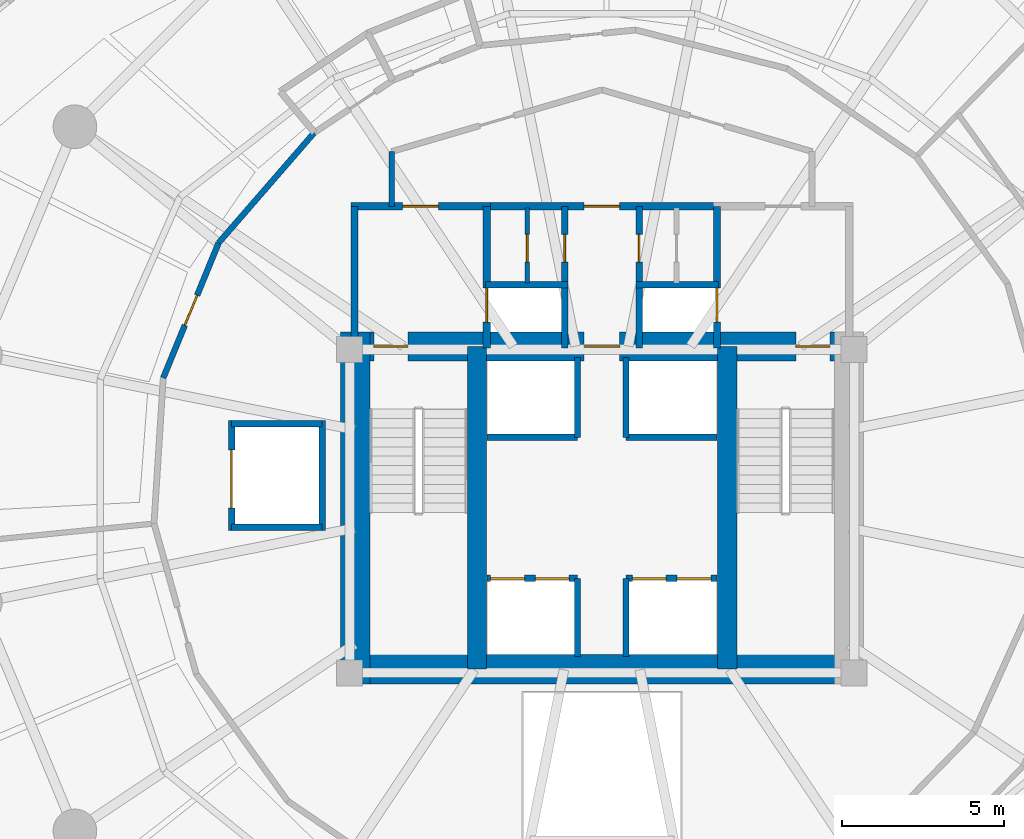
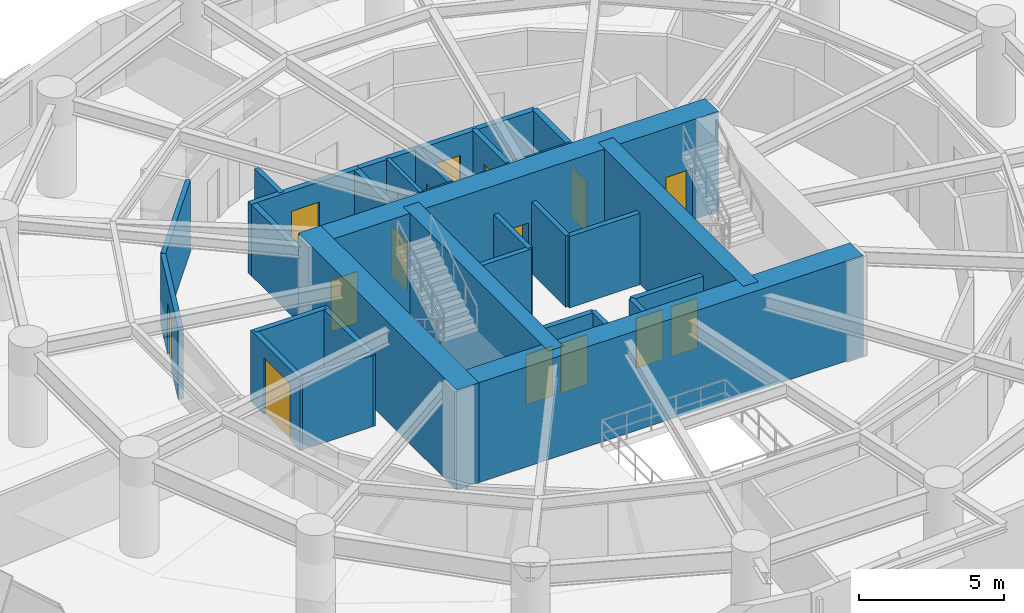
# One storey, part 12 of 17: 30 walls, 16 doors, 16 openings.
"""IFC4 building model written with IfcOpenShell, lengths in metres."""

from ifc_helpers import new_model, si_unit, direction, frame, frame_2d, origin, place, context, subcontext, project, spatial, rectangle, extrude, material, layer, layer_set, type_object, element, fill, save


model = new_model("IFC4")

# Units and contexts
model_context = context("Model", 3, precision=1e-05, world=origin(), true_north=direction((0.0, 1.0)))
body_context = subcontext(model_context, "Body", "Model", "MODEL_VIEW")
ifc_project = project(units=[si_unit("LENGTHUNIT", "METRE"), si_unit("AREAUNIT", "SQUARE_METRE"), si_unit("VOLUMEUNIT", "CUBIC_METRE"), si_unit("PLANEANGLEUNIT", "RADIAN"), si_unit("MASSUNIT", "GRAM", prefix="KILO"), si_unit("THERMODYNAMICTEMPERATUREUNIT", "KELVIN"), si_unit("POWERUNIT", "WATT")], contexts=[model_context])

# Site, building, storey
site_placement = place(None, origin())
site = spatial("IfcSite", under=ifc_project, at=site_placement, CompositionType="ELEMENT")
building_placement = place(site_placement, origin())
building = spatial("IfcBuilding", under=site, at=building_placement, Name="Ocrelia Relay Tower", CompositionType="ELEMENT")
storey_placement = place(building_placement, frame((0.0, 0.0, 55.199951171875)))
storey = spatial("IfcBuildingStorey", under=building, at=storey_placement, Name="L12", CompositionType="ELEMENT", Elevation=55.199951171875)

# Wall
ifc_material_1 = material(Name="Concrete C70/85", Category="concrete")
ifc_layer_1 = layer(ifc_material_1, 0.89990234375, Name="Concrete C70/85")
ifc_layer_set_1 = layer_set([ifc_layer_1], Name="Concrete C70/85")
wall_type_1 = type_object("IfcWallType", Name="CW-CORE-900", PredefinedType="SHEAR", material=ifc_layer_set_1)
wall_1_placement = place(storey_placement, frame((25.922119140625, 20.112060546875, 0.0), z_axis=(0.0, 0.0, 1.0), x_axis=(1.0, 0.0, 0.0)))
element("IfcWall", 1, at=wall_1_placement, inside=storey, type_object=wall_type_1, Name="L12 Core Shear Wall S", PredefinedType="SHEAR", context=body_context, shape_type="SweptSolid", body=[
    extrude(rectangle(XDim=16.165771484375, YDim=0.89990234375, at=frame_2d((8.0830078125, 0.0))), origin(), (0.0, 0.0, 1.0), 4.199951171875),
])

# Wall, openings, doors
wall_2_placement = place(storey_placement, frame((25.922119140625, 30.087890625, 0.0), z_axis=(0.0, 0.0, 1.0), x_axis=(1.0, 0.0, 0.0)))
wall_2 = element("IfcWall", 2, at=wall_2_placement, inside=storey, type_object=wall_type_1, Name="L12 Core Shear Wall N", PredefinedType="SHEAR", context=body_context, shape_type="SweptSolid", body=[
    extrude(rectangle(XDim=16.165771484375, YDim=0.89990234375, at=frame_2d((8.0830078125, 0.0))), origin(), (0.0, 0.0, 1.0), 4.199951171875),
])
opening_1_placement = place(wall_2_placement, frame((1.028076171875, 0.0, 0.0)))
opening_1 = element("IfcOpeningElement", 3, at=opening_1_placement, cuts=wall_2, Name="Opening D-FD90", PredefinedType="OPENING", context=body_context, shape_type="SweptSolid", body=[
    extrude(rectangle(XDim=1.050048828125, YDim=2.14990234375, at=frame_2d((0.52490234375, 1.074951171875))), frame((0.0, 0.4599609375, 0.0), z_axis=(0.0, -1.0, 0.0), x_axis=(1.0, 0.0, 0.0)), (0.0, 0.0, 1.0), 0.919921875),
])
opening_2_placement = place(wall_2_placement, frame((14.077880859375, 0.0, 0.0)))
opening_2 = element("IfcOpeningElement", 4, at=opening_2_placement, cuts=wall_2, Name="Opening D-FD90", PredefinedType="OPENING", context=body_context, shape_type="SweptSolid", body=[
    extrude(rectangle(XDim=1.050048828125, YDim=2.14990234375, at=frame_2d((0.52490234375, 1.074951171875))), frame((0.0, 0.4599609375, 0.0), z_axis=(0.0, -1.0, 0.0), x_axis=(1.0, 0.0, 0.0)), (0.0, 0.0, 1.0), 0.919921875),
])
opening_3_placement = place(wall_2_placement, frame((7.528076171875, 0.0, 0.0)))
opening_3 = element("IfcOpeningElement", 5, at=opening_3_placement, cuts=wall_2, Name="Opening D-FD60", PredefinedType="OPENING", context=body_context, shape_type="SweptSolid", body=[
    extrude(rectangle(XDim=1.10009765625, YDim=2.14990234375, at=frame_2d((0.550048828125, 1.074951171875))), frame((0.0, 0.4599609375, 0.0), z_axis=(0.0, -1.0, 0.0), x_axis=(1.0, 0.0, 0.0)), (0.0, 0.0, 1.0), 0.919921875),
])
ifc_material_2 = material(Name="Timber-core 60-min acoustic fire door", Category="wood")
door_type_1 = type_object("IfcDoorType", Name="DR-LOBBY-FD60-1100", OperationType="NOTDEFINED", PredefinedType="DOOR", material=ifc_material_2)
door_1_placement = place(opening_3_placement, origin())
door_1 = element("IfcDoor", 6, at=door_1_placement, inside=storey, type_object=door_type_1, Name="L12 Core Lift Lobby North Fire Door", OperationType="SINGLE_SWING_LEFT", OverallHeight=2.14990234375, OverallWidth=1.10009765625, PredefinedType="DOOR", context=body_context, shape_type="SweptSolid", body=[
    extrude(rectangle(XDim=1.10009765625, YDim=2.14990234375, at=frame_2d((0.550048828125, 1.074951171875))), frame((0.0, 0.02490234375, 0.0), z_axis=(0.0, -1.0, 0.0), x_axis=(1.0, 0.0, 0.0)), (0.0, 0.0, 1.0), 0.050048828125),
])
fill(opening_3, door_1)
ifc_material_3 = material(Name="Steel S355 90-min fire door", Category="steel")
door_type_2 = type_object("IfcDoorType", Name="DR-STAIR-FD90-1050", OperationType="NOTDEFINED", PredefinedType="DOOR", material=ifc_material_3)
door_2_placement = place(opening_1_placement, origin())
door_2 = element("IfcDoor", 7, at=door_2_placement, inside=storey, type_object=door_type_2, Name="L12 Stair ST1 Fire Door", OperationType="SINGLE_SWING_LEFT", OverallHeight=2.14990234375, OverallWidth=1.050048828125, PredefinedType="DOOR", context=body_context, shape_type="SweptSolid", body=[
    extrude(rectangle(XDim=1.050048828125, YDim=2.14990234375, at=frame_2d((0.52490234375, 1.074951171875))), frame((0.0, 0.02490234375, 0.0), z_axis=(0.0, -1.0, 0.0), x_axis=(1.0, 0.0, 0.0)), (0.0, 0.0, 1.0), 0.050048828125),
])
fill(opening_1, door_2)
door_3_placement = place(opening_2_placement, origin())
door_3 = element("IfcDoor", 8, at=door_3_placement, inside=storey, type_object=door_type_2, Name="L12 Stair ST2 Fire Door", OperationType="SINGLE_SWING_RIGHT", OverallHeight=2.14990234375, OverallWidth=1.050048828125, PredefinedType="DOOR", context=body_context, shape_type="SweptSolid", body=[
    extrude(rectangle(XDim=1.050048828125, YDim=2.14990234375, at=frame_2d((0.52490234375, 1.074951171875))), frame((0.0, 0.02490234375, 0.0), z_axis=(0.0, -1.0, 0.0), x_axis=(1.0, 0.0, 0.0)), (0.0, 0.0, 1.0), 0.050048828125),
])
fill(opening_2, door_3)

# Walls
wall_3_placement = place(storey_placement, frame((26.3720703125, 19.662109375, 0.0), z_axis=(0.0, 0.0, 1.0), x_axis=(0.0, 1.0, 0.0)))
element("IfcWall", 9, at=wall_3_placement, inside=storey, type_object=wall_type_1, Name="L12 Core Shear Wall W", PredefinedType="SHEAR", context=body_context, shape_type="SweptSolid", body=[
    extrude(rectangle(XDim=10.8759765625, YDim=0.89990234375, at=frame_2d((5.43798828125, 0.0))), origin(), (0.0, 0.0, 1.0), 4.199951171875),
])
for number, where, z_axis, x_axis, name in (
    (10, (30.137939453125, 20.112060546875, 0.0), (0.0, 0.0, 1.0), (0.0, 1.0, 0.0), "L12 Core Shear Wall SPW"),
    (11, (37.8720703125, 20.112060546875, 0.0), (0.0, 0.0, 1.0), (0.0, 1.0, 0.0), "L12 Core Shear Wall SPE"),
):
    element("IfcWall", number, at=place(storey_placement, frame(where, z_axis=z_axis, x_axis=x_axis)), inside=storey, type_object=wall_type_1, Name=name, PredefinedType="SHEAR", context=body_context, shape_type="SweptSolid", body=[
        extrude(rectangle(XDim=9.975830078125, YDim=0.60009765625, at=frame_2d((4.98779296875, 0.0))), origin(), (0.0, 0.0, 1.0), 4.199951171875),
    ])
ifc_material_4 = material(Name="Gypsum Fireboard Partition EI60", Category="gypsum")
ifc_layer_2 = layer(ifc_material_4, 0.179931640625, Name="Gypsum Fireboard Partition EI60")
ifc_layer_set_2 = layer_set([ifc_layer_2], Name="Gypsum Fireboard Partition EI60")
wall_type_2 = type_object("IfcWallType", Name="W-CORR-EI60-180", PredefinedType="PARTITIONING", material=ifc_layer_set_2)
wall_4_placement = place(storey_placement, frame((27.5, 34.429931640625, 0.0), z_axis=(0.0, 0.0, 1.0), x_axis=(0.0, 1.0, 0.0)))
element("IfcWall", 12, at=wall_4_placement, inside=storey, type_object=wall_type_2, Name="L12 Smoke Lobby West Return", PredefinedType="PARTITIONING", context=body_context, shape_type="SweptSolid", body=[
    extrude(rectangle(XDim=1.69287109375, YDim=0.179931640625, at=frame_2d((0.846435546875, 0.0))), origin(), (0.0, 0.0, 1.0), 3.0),
])
wall_5_placement = place(storey_placement, frame((25.1083984375, 36.7099609375, 0.0), z_axis=(0.0, 0.0, 1.0), x_axis=(-0.655636359389, -0.755076793609, 0.0)))
element("IfcWall", 13, at=wall_5_placement, inside=storey, type_object=wall_type_2, Name="L12 Carrier Briefing Room Corridor Partition 1", PredefinedType="PARTITIONING", context=body_context, shape_type="SweptSolid", body=[
    extrude(rectangle(XDim=4.514892578125, YDim=0.179931640625, at=frame_2d((2.25732421875, 0.0))), origin(), (0.0, 0.0, 1.0), 3.0),
])

# Wall, opening, door
wall_6_placement = place(storey_placement, frame((22.148193359375, 33.30078125, 0.0), z_axis=(0.0, 0.0, 1.0), x_axis=(-0.37946853902, -0.92520464109, 0.0)))
wall_6 = element("IfcWall", 14, at=wall_6_placement, inside=storey, type_object=wall_type_2, Name="L12 Carrier Briefing Room Corridor Partition 2", PredefinedType="PARTITIONING", context=body_context, shape_type="SweptSolid", body=[
    extrude(rectangle(XDim=4.51513671875, YDim=0.179931640625, at=frame_2d((2.257568359375, 0.0))), origin(), (0.0, 0.0, 1.0), 3.0),
])
opening_4_placement = place(wall_6_placement, frame((1.757568359375, 0.0, 0.0)))
opening_4 = element("IfcOpeningElement", 15, at=opening_4_placement, cuts=wall_6, Name="Opening D-RM100", PredefinedType="OPENING", context=body_context, shape_type="SweptSolid", body=[
    extrude(rectangle(XDim=1.0, YDim=2.14990234375, at=frame_2d((0.5, 1.074951171875))), frame((0.0, 0.10009765625, 0.0), z_axis=(0.0, -1.0, 0.0), x_axis=(1.0, 0.0, 0.0)), (0.0, 0.0, 1.0), 0.199951171875),
])
ifc_material_5 = material(Name="Acoustic oak veneer fire door", Category="wood")
door_type_3 = type_object("IfcDoorType", Name="DR-ROOM-FD60-1000", OperationType="NOTDEFINED", PredefinedType="DOOR", material=ifc_material_5)
door_4_placement = place(opening_4_placement, origin())
door_4 = element("IfcDoor", 16, at=door_4_placement, inside=storey, type_object=door_type_3, Name="L12 Carrier Briefing Room Entrance Door", OperationType="SINGLE_SWING_LEFT", OverallHeight=2.14990234375, OverallWidth=1.0, PredefinedType="DOOR", context=body_context, shape_type="SweptSolid", body=[
    extrude(rectangle(XDim=1.0, YDim=2.14990234375, at=frame_2d((0.5, 1.074951171875))), frame((0.0, 0.02490234375, 0.0), z_axis=(0.0, -1.0, 0.0), x_axis=(1.0, 0.0, 0.0)), (0.0, 0.0, 1.0), 0.050048828125),
])
fill(opening_4, door_4)

# Wall
ifc_material_6 = material(Name="Concrete C50/60", Category="concrete")
ifc_layer_3 = layer(ifc_material_6, 0.219970703125, Name="Concrete C50/60")
ifc_layer_set_3 = layer_set([ifc_layer_3], Name="Concrete C50/60")
wall_type_3 = type_object("IfcWallType", Name="W-FFL-EI120-220", PredefinedType="SOLIDWALL", material=ifc_layer_set_3)
wall_7_placement = place(storey_placement, frame((26.35009765625, 30.050048828125, 0.0), z_axis=(0.0, 0.0, 1.0), x_axis=(0.0, 1.0, 0.0)))
element("IfcWall", 17, at=wall_7_placement, inside=storey, type_object=wall_type_3, Name="L12 W Fire Service Lift Lobby West Wall", PredefinedType="SOLIDWALL", context=body_context, shape_type="SweptSolid", body=[
    extrude(rectangle(XDim=4.3798828125, YDim=0.219970703125, at=frame_2d((2.18994140625, 0.0))), origin(), (0.0, 0.0, 1.0), 3.0),
])

# Wall, opening, door
wall_8_placement = place(storey_placement, frame((30.43994140625, 30.050048828125, 0.0), z_axis=(0.0, 0.0, 1.0), x_axis=(0.0, 1.0, 0.0)))
wall_8 = element("IfcWall", 18, at=wall_8_placement, inside=storey, type_object=wall_type_3, Name="L12 W Fire Service Lift Lobby East Wall", PredefinedType="SOLIDWALL", context=body_context, shape_type="SweptSolid", body=[
    extrude(rectangle(XDim=4.3798828125, YDim=0.219970703125, at=frame_2d((2.18994140625, 0.0))), origin(), (0.0, 0.0, 1.0), 3.0),
])
opening_5_placement = place(wall_8_placement, frame((0.800048828125, 0.0, 0.0)))
opening_5 = element("IfcOpeningElement", 19, at=opening_5_placement, cuts=wall_8, Name="Opening LD-FFL1", PredefinedType="OPENING", context=body_context, shape_type="SweptSolid", body=[
    extrude(rectangle(XDim=1.050048828125, YDim=2.10009765625, at=frame_2d((0.52490234375, 1.050048828125))), frame((0.0, 0.1201171875, 0.0), z_axis=(0.0, -1.0, 0.0), x_axis=(1.0, 0.0, 0.0)), (0.0, 0.0, 1.0), 0.239990234375),
])
ifc_material_7 = material(Name="Brushed stainless steel S355 lift landing door", Category="steel")
door_type_4 = type_object("IfcDoorType", Name="DR-LIFT-LAND-1050", OperationType="DOUBLE_DOOR_SLIDING", PredefinedType="USERDEFINED", material=ifc_material_7)
door_5_placement = place(opening_5_placement, origin())
door_5 = element("IfcDoor", 20, at=door_5_placement, inside=storey, type_object=door_type_4, Name="L12 Firefighting Lift FFL1 Sliding Landing Door", ObjectType="LANDING DOOR", OperationType="DOUBLE_DOOR_SLIDING", OverallHeight=2.10009765625, OverallWidth=1.050048828125, PredefinedType="USERDEFINED", context=body_context, shape_type="SweptSolid", body=[
    extrude(rectangle(XDim=1.050048828125, YDim=2.10009765625, at=frame_2d((0.52490234375, 1.050048828125))), frame((0.0, 0.02490234375, 0.0), z_axis=(0.0, -1.0, 0.0), x_axis=(1.0, 0.0, 0.0)), (0.0, 0.0, 1.0), 0.050048828125),
])
fill(opening_5, door_5)

wall_9_placement = place(storey_placement, frame((26.239990234375, 34.429931640625, 0.0), z_axis=(0.0, 0.0, 1.0), x_axis=(1.0, 0.0, 0.0)))
wall_9 = element("IfcWall", 21, at=wall_9_placement, inside=storey, type_object=wall_type_3, Name="L12 W Fire Service Lift Lobby North Wall", PredefinedType="SOLIDWALL", context=body_context, shape_type="SweptSolid", body=[
    extrude(rectangle(XDim=4.31005859375, YDim=0.219970703125, at=frame_2d((2.155029296875, 0.0))), origin(), (0.0, 0.0, 1.0), 3.0),
])
opening_6_placement = place(wall_9_placement, frame((1.60009765625, 0.0, 0.0)))
opening_6 = element("IfcOpeningElement", 22, at=opening_6_placement, cuts=wall_9, Name="Opening D-FD60", PredefinedType="OPENING", context=body_context, shape_type="SweptSolid", body=[
    extrude(rectangle(XDim=1.10009765625, YDim=2.14990234375, at=frame_2d((0.550048828125, 1.074951171875))), frame((0.0, 0.1201171875, 0.0), z_axis=(0.0, -1.0, 0.0), x_axis=(1.0, 0.0, 0.0)), (0.0, 0.0, 1.0), 0.239990234375),
])
door_6_placement = place(opening_6_placement, origin())
door_6 = element("IfcDoor", 23, at=door_6_placement, inside=storey, type_object=door_type_1, Name="L12 W Fire Service Lift Lobby Exit Door", OperationType="SINGLE_SWING_RIGHT", OverallHeight=2.14990234375, OverallWidth=1.10009765625, PredefinedType="DOOR", context=body_context, shape_type="SweptSolid", body=[
    extrude(rectangle(XDim=1.10009765625, YDim=2.14990234375, at=frame_2d((0.550048828125, 1.074951171875))), frame((0.0, 0.02490234375, 0.0), z_axis=(0.0, -1.0, 0.0), x_axis=(1.0, 0.0, 0.0)), (0.0, 0.0, 1.0), 0.050048828125),
])
fill(opening_6, door_6)

wall_10_placement = place(storey_placement, frame((37.56005859375, 30.050048828125, 0.0), z_axis=(0.0, 0.0, 1.0), x_axis=(0.0, 1.0, 0.0)))
wall_10 = element("IfcWall", 24, at=wall_10_placement, inside=storey, type_object=wall_type_3, Name="L12 E Fire Service Lift Lobby West Wall", PredefinedType="SOLIDWALL", context=body_context, shape_type="SweptSolid", body=[
    extrude(rectangle(XDim=4.3798828125, YDim=0.219970703125, at=frame_2d((2.18994140625, 0.0))), origin(), (0.0, 0.0, 1.0), 3.0),
])
opening_7_placement = place(wall_10_placement, frame((0.800048828125, 0.0, 0.0)))
opening_7 = element("IfcOpeningElement", 25, at=opening_7_placement, cuts=wall_10, Name="Opening LD-FFL2", PredefinedType="OPENING", context=body_context, shape_type="SweptSolid", body=[
    extrude(rectangle(XDim=1.050048828125, YDim=2.10009765625, at=frame_2d((0.52490234375, 1.050048828125))), frame((0.0, 0.1201171875, 0.0), z_axis=(0.0, -1.0, 0.0), x_axis=(1.0, 0.0, 0.0)), (0.0, 0.0, 1.0), 0.239990234375),
])
door_7_placement = place(opening_7_placement, origin())
door_7 = element("IfcDoor", 26, at=door_7_placement, inside=storey, type_object=door_type_4, Name="L12 Firefighting Lift FFL2 Sliding Landing Door", ObjectType="LANDING DOOR", OperationType="DOUBLE_DOOR_SLIDING", OverallHeight=2.10009765625, OverallWidth=1.050048828125, PredefinedType="USERDEFINED", context=body_context, shape_type="SweptSolid", body=[
    extrude(rectangle(XDim=1.050048828125, YDim=2.10009765625, at=frame_2d((0.52490234375, 1.050048828125))), frame((0.0, 0.02490234375, 0.0), z_axis=(0.0, -1.0, 0.0), x_axis=(1.0, 0.0, 0.0)), (0.0, 0.0, 1.0), 0.050048828125),
])
fill(opening_7, door_7)

wall_11_placement = place(storey_placement, frame((30.43994140625, 34.429931640625, 0.0), z_axis=(0.0, 0.0, 1.0), x_axis=(1.0, 0.0, 0.0)))
wall_11 = element("IfcWall", 27, at=wall_11_placement, inside=storey, type_object=wall_type_3, Name="L12 North Core Vestibule Wall", PredefinedType="SOLIDWALL", context=body_context, shape_type="SweptSolid", body=[
    extrude(rectangle(XDim=7.1201171875, YDim=0.219970703125, at=frame_2d((3.56005859375, 0.0))), origin(), (0.0, 0.0, 1.0), 3.0),
])
opening_8_placement = place(wall_11_placement, frame((3.010009765625, 0.0, 0.0)))
opening_8 = element("IfcOpeningElement", 28, at=opening_8_placement, cuts=wall_11, Name="Opening D-FD60", PredefinedType="OPENING", context=body_context, shape_type="SweptSolid", body=[
    extrude(rectangle(XDim=1.10009765625, YDim=2.14990234375, at=frame_2d((0.550048828125, 1.074951171875))), frame((0.0, 0.1201171875, 0.0), z_axis=(0.0, -1.0, 0.0), x_axis=(1.0, 0.0, 0.0)), (0.0, 0.0, 1.0), 0.239990234375),
])
door_8_placement = place(opening_8_placement, origin())
door_8 = element("IfcDoor", 29, at=door_8_placement, inside=storey, type_object=door_type_1, Name="L12 North Core Vestibule Corridor Door", OperationType="SINGLE_SWING_RIGHT", OverallHeight=2.14990234375, OverallWidth=1.10009765625, PredefinedType="DOOR", context=body_context, shape_type="SweptSolid", body=[
    extrude(rectangle(XDim=1.10009765625, YDim=2.14990234375, at=frame_2d((0.550048828125, 1.074951171875))), frame((0.0, 0.02490234375, 0.0), z_axis=(0.0, -1.0, 0.0), x_axis=(1.0, 0.0, 0.0)), (0.0, 0.0, 1.0), 0.050048828125),
])
fill(opening_8, door_8)

ifc_material_8 = material(Name="Acoustic Fireboard Partition EI60", Category="gypsum")
ifc_layer_4 = layer(ifc_material_8, 0.14990234375, Name="Acoustic Fireboard Partition EI60")
ifc_layer_set_4 = layer_set([ifc_layer_4], Name="Acoustic Fireboard Partition EI60")
wall_type_4 = type_object("IfcWallType", Name="W-PART-150", PredefinedType="PARTITIONING", material=ifc_layer_set_4)
wall_12_placement = place(storey_placement, frame((31.68994140625, 32.050048828125, 0.0), z_axis=(0.0, 0.0, 1.0), x_axis=(0.0, 1.0, 0.0)))
wall_12 = element("IfcWall", 30, at=wall_12_placement, inside=storey, type_object=wall_type_4, Name="L12 West Core Support Partition", PredefinedType="PARTITIONING", context=body_context, shape_type="SweptSolid", body=[
    extrude(rectangle(XDim=2.329833984375, YDim=0.14990234375, at=frame_2d((1.1650390625, 0.0))), origin(), (0.0, 0.0, 1.0), 3.0),
])
opening_9_placement = place(wall_12_placement, frame((0.64990234375, 0.0, 0.0)))
opening_9 = element("IfcOpeningElement", 31, at=opening_9_placement, cuts=wall_12, Name="Opening D-RS86", PredefinedType="OPENING", context=body_context, shape_type="SweptSolid", body=[
    extrude(rectangle(XDim=0.860107421875, YDim=2.050048828125, at=frame_2d((0.43017578125, 1.02490234375))), frame((0.0, 0.0849609375, 0.0), z_axis=(0.0, -1.0, 0.0), x_axis=(1.0, 0.0, 0.0)), (0.0, 0.0, 1.0), 0.169921875),
])
ifc_material_9 = material(Name="Steel S355 riser access fire door", Category="steel")
door_type_5 = type_object("IfcDoorType", Name="DR-RISER-TRAP-860", OperationType="NOTDEFINED", PredefinedType="TRAPDOOR", material=ifc_material_9)
door_9_placement = place(opening_9_placement, origin())
door_9 = element("IfcDoor", 32, at=door_9_placement, inside=storey, type_object=door_type_5, Name="L12 West Core Store Connecting Door", OperationType="SINGLE_SWING_LEFT", OverallHeight=2.050048828125, OverallWidth=0.860107421875, PredefinedType="TRAPDOOR", context=body_context, shape_type="SweptSolid", body=[
    extrude(rectangle(XDim=0.860107421875, YDim=2.050048828125, at=frame_2d((0.43017578125, 1.02490234375))), frame((0.0, 0.02490234375, 0.0), z_axis=(0.0, -1.0, 0.0), x_axis=(1.0, 0.0, 0.0)), (0.0, 0.0, 1.0), 0.050048828125),
])
fill(opening_9, door_9)

# Wall
ifc_layer_5 = layer(ifc_material_6, 0.199951171875, Name="Concrete C50/60")
ifc_layer_set_5 = layer_set([ifc_layer_5], Name="Concrete C50/60")
wall_type_5 = type_object("IfcWallType", Name="W-SHAFT-EI120-200", PredefinedType="SOLIDWALL", material=ifc_layer_set_5)
wall_13_placement = place(storey_placement, frame((30.39990234375, 32.0, 0.0), z_axis=(0.0, 0.0, 1.0), x_axis=(1.0, 0.0, 0.0)))
element("IfcWall", 33, at=wall_13_placement, inside=storey, type_object=wall_type_5, Name="L12 FFL1 Hoistway North Wall", PredefinedType="SOLIDWALL", context=body_context, shape_type="SweptSolid", body=[
    extrude(rectangle(XDim=2.550048828125, YDim=0.199951171875, at=frame_2d((1.27490234375, 0.0))), origin(), (0.0, 0.0, 1.0), 3.0),
])

# Wall, opening, door
wall_14_placement = place(storey_placement, frame((32.85009765625, 30.050048828125, 0.0), z_axis=(0.0, 0.0, 1.0), x_axis=(0.0, 1.0, 0.0)))
wall_14 = element("IfcWall", 34, at=wall_14_placement, inside=storey, type_object=wall_type_5, Name="L12 FFL1 and Service Vestibule Wall", PredefinedType="SOLIDWALL", context=body_context, shape_type="SweptSolid", body=[
    extrude(rectangle(XDim=4.3798828125, YDim=0.199951171875, at=frame_2d((2.18994140625, 0.0))), origin(), (0.0, 0.0, 1.0), 3.0),
])
opening_10_placement = place(wall_14_placement, frame((2.64990234375, 0.0, 0.0)))
opening_10 = element("IfcOpeningElement", 35, at=opening_10_placement, cuts=wall_14, Name="Opening D-RS86", PredefinedType="OPENING", context=body_context, shape_type="SweptSolid", body=[
    extrude(rectangle(XDim=0.860107421875, YDim=2.050048828125, at=frame_2d((0.43017578125, 1.02490234375))), frame((0.0, 0.10986328125, 0.0), z_axis=(0.0, -1.0, 0.0), x_axis=(1.0, 0.0, 0.0)), (0.0, 0.0, 1.0), 0.219970703125),
])
door_10_placement = place(opening_10_placement, origin())
door_10 = element("IfcDoor", 36, at=door_10_placement, inside=storey, type_object=door_type_5, Name="L12 Core Support Room W Door", OperationType="SINGLE_SWING_LEFT", OverallHeight=2.050048828125, OverallWidth=0.860107421875, PredefinedType="TRAPDOOR", context=body_context, shape_type="SweptSolid", body=[
    extrude(rectangle(XDim=0.860107421875, YDim=2.050048828125, at=frame_2d((0.43017578125, 1.02490234375))), frame((0.0, 0.02490234375, 0.0), z_axis=(0.0, -1.0, 0.0), x_axis=(1.0, 0.0, 0.0)), (0.0, 0.0, 1.0), 0.050048828125),
])
fill(opening_10, door_10)

# Wall
wall_15_placement = place(storey_placement, frame((35.050048828125, 32.0, 0.0), z_axis=(0.0, 0.0, 1.0), x_axis=(1.0, 0.0, 0.0)))
element("IfcWall", 37, at=wall_15_placement, inside=storey, type_object=wall_type_5, Name="L12 FFL2 Hoistway North Wall", PredefinedType="SOLIDWALL", context=body_context, shape_type="SweptSolid", body=[
    extrude(rectangle(XDim=2.550048828125, YDim=0.199951171875, at=frame_2d((1.27490234375, 0.0))), origin(), (0.0, 0.0, 1.0), 3.0),
])

# Wall, opening, door
wall_16_placement = place(storey_placement, frame((35.14990234375, 30.050048828125, 0.0), z_axis=(0.0, 0.0, 1.0), x_axis=(0.0, 1.0, 0.0)))
wall_16 = element("IfcWall", 38, at=wall_16_placement, inside=storey, type_object=wall_type_5, Name="L12 FFL2 and Service Vestibule Wall", PredefinedType="SOLIDWALL", context=body_context, shape_type="SweptSolid", body=[
    extrude(rectangle(XDim=4.3798828125, YDim=0.199951171875, at=frame_2d((2.18994140625, 0.0))), origin(), (0.0, 0.0, 1.0), 3.0),
])
opening_11_placement = place(wall_16_placement, frame((2.64990234375, 0.0, 0.0)))
opening_11 = element("IfcOpeningElement", 39, at=opening_11_placement, cuts=wall_16, Name="Opening D-RS86", PredefinedType="OPENING", context=body_context, shape_type="SweptSolid", body=[
    extrude(rectangle(XDim=0.860107421875, YDim=2.050048828125, at=frame_2d((0.43017578125, 1.02490234375))), frame((0.0, 0.10986328125, 0.0), z_axis=(0.0, -1.0, 0.0), x_axis=(1.0, 0.0, 0.0)), (0.0, 0.0, 1.0), 0.219970703125),
])
door_11_placement = place(opening_11_placement, origin())
door_11 = element("IfcDoor", 40, at=door_11_placement, inside=storey, type_object=door_type_5, Name="L12 Core Support Room E Door", OperationType="SINGLE_SWING_LEFT", OverallHeight=2.050048828125, OverallWidth=0.860107421875, PredefinedType="TRAPDOOR", context=body_context, shape_type="SweptSolid", body=[
    extrude(rectangle(XDim=0.860107421875, YDim=2.050048828125, at=frame_2d((0.43017578125, 1.02490234375))), frame((0.0, 0.02490234375, 0.0), z_axis=(0.0, -1.0, 0.0), x_axis=(1.0, 0.0, 0.0)), (0.0, 0.0, 1.0), 0.050048828125),
])
fill(opening_11, door_11)

# Wall, openings, doors
wall_17_placement = place(storey_placement, frame((30.43994140625, 22.919921875, 0.0), z_axis=(0.0, 0.0, 1.0), x_axis=(1.0, 0.0, 0.0)))
wall_17 = element("IfcWall", 41, at=wall_17_placement, inside=storey, type_object=wall_type_5, Name="L12 Low-Rise Lift Hoistway Wall W", PredefinedType="SOLIDWALL", context=body_context, shape_type="SweptSolid", body=[
    extrude(rectangle(XDim=2.81005859375, YDim=0.199951171875, at=frame_2d((1.405029296875, 0.0))), origin(), (0.0, 0.0, 1.0), 3.0),
])
opening_12_placement = place(wall_17_placement, frame((0.1201171875, 0.0, 0.0)))
opening_12 = element("IfcOpeningElement", 42, at=opening_12_placement, cuts=wall_17, Name="Opening LD-PL1", PredefinedType="OPENING", context=body_context, shape_type="SweptSolid", body=[
    extrude(rectangle(XDim=1.050048828125, YDim=2.10009765625, at=frame_2d((0.52490234375, 1.050048828125))), frame((0.0, 0.10986328125, 0.0), z_axis=(0.0, -1.0, 0.0), x_axis=(1.0, 0.0, 0.0)), (0.0, 0.0, 1.0), 0.219970703125),
])
opening_13_placement = place(wall_17_placement, frame((1.5, 0.0, 0.0)))
opening_13 = element("IfcOpeningElement", 43, at=opening_13_placement, cuts=wall_17, Name="Opening LD-PL2", PredefinedType="OPENING", context=body_context, shape_type="SweptSolid", body=[
    extrude(rectangle(XDim=1.050048828125, YDim=2.10009765625, at=frame_2d((0.52490234375, 1.050048828125))), frame((0.0, 0.10986328125, 0.0), z_axis=(0.0, -1.0, 0.0), x_axis=(1.0, 0.0, 0.0)), (0.0, 0.0, 1.0), 0.219970703125),
])
door_12_placement = place(opening_12_placement, origin())
door_12 = element("IfcDoor", 44, at=door_12_placement, inside=storey, type_object=door_type_4, Name="L12 Passenger Lift PL1 Sliding Landing Door", ObjectType="LANDING DOOR", OperationType="DOUBLE_DOOR_SLIDING", OverallHeight=2.10009765625, OverallWidth=1.050048828125, PredefinedType="USERDEFINED", context=body_context, shape_type="SweptSolid", body=[
    extrude(rectangle(XDim=1.050048828125, YDim=2.10009765625, at=frame_2d((0.52490234375, 1.050048828125))), frame((0.0, 0.02490234375, 0.0), z_axis=(0.0, -1.0, 0.0), x_axis=(1.0, 0.0, 0.0)), (0.0, 0.0, 1.0), 0.050048828125),
])
fill(opening_12, door_12)
door_13_placement = place(opening_13_placement, origin())
door_13 = element("IfcDoor", 45, at=door_13_placement, inside=storey, type_object=door_type_4, Name="L12 Passenger Lift PL2 Sliding Landing Door", ObjectType="LANDING DOOR", OperationType="DOUBLE_DOOR_SLIDING", OverallHeight=2.10009765625, OverallWidth=1.050048828125, PredefinedType="USERDEFINED", context=body_context, shape_type="SweptSolid", body=[
    extrude(rectangle(XDim=1.050048828125, YDim=2.10009765625, at=frame_2d((0.52490234375, 1.050048828125))), frame((0.0, 0.02490234375, 0.0), z_axis=(0.0, -1.0, 0.0), x_axis=(1.0, 0.0, 0.0)), (0.0, 0.0, 1.0), 0.050048828125),
])
fill(opening_13, door_13)

# Wall
wall_18_placement = place(storey_placement, frame((33.25, 20.5, 0.0), z_axis=(0.0, 0.0, 1.0), x_axis=(0.0, 1.0, 0.0)))
element("IfcWall", 46, at=wall_18_placement, inside=storey, type_object=wall_type_5, Name="L12 Low-Rise Lift Throat Wall W", PredefinedType="SOLIDWALL", context=body_context, shape_type="SweptSolid", body=[
    extrude(rectangle(XDim=2.419921875, YDim=0.179931640625, at=frame_2d((1.2099609375, 0.0))), origin(), (0.0, 0.0, 1.0), 3.0),
])

# Wall, openings, doors
wall_19_placement = place(storey_placement, frame((34.75, 22.919921875, 0.0), z_axis=(0.0, 0.0, 1.0), x_axis=(1.0, 0.0, 0.0)))
wall_19 = element("IfcWall", 47, at=wall_19_placement, inside=storey, type_object=wall_type_5, Name="L12 Low-Rise Lift Hoistway Wall E", PredefinedType="SOLIDWALL", context=body_context, shape_type="SweptSolid", body=[
    extrude(rectangle(XDim=2.81005859375, YDim=0.199951171875, at=frame_2d((1.405029296875, 0.0))), origin(), (0.0, 0.0, 1.0), 3.0),
])
opening_14_placement = place(wall_19_placement, frame((0.18994140625, 0.0, 0.0)))
opening_14 = element("IfcOpeningElement", 48, at=opening_14_placement, cuts=wall_19, Name="Opening LD-PL3", PredefinedType="OPENING", context=body_context, shape_type="SweptSolid", body=[
    extrude(rectangle(XDim=1.050048828125, YDim=2.10009765625, at=frame_2d((0.52490234375, 1.050048828125))), frame((0.0, 0.10986328125, 0.0), z_axis=(0.0, -1.0, 0.0), x_axis=(1.0, 0.0, 0.0)), (0.0, 0.0, 1.0), 0.219970703125),
])
opening_15_placement = place(wall_19_placement, frame((1.570068359375, 0.0, 0.0)))
opening_15 = element("IfcOpeningElement", 49, at=opening_15_placement, cuts=wall_19, Name="Opening LD-PL4", PredefinedType="OPENING", context=body_context, shape_type="SweptSolid", body=[
    extrude(rectangle(XDim=1.050048828125, YDim=2.10009765625, at=frame_2d((0.52490234375, 1.050048828125))), frame((0.0, 0.10986328125, 0.0), z_axis=(0.0, -1.0, 0.0), x_axis=(1.0, 0.0, 0.0)), (0.0, 0.0, 1.0), 0.219970703125),
])
door_14_placement = place(opening_14_placement, origin())
door_14 = element("IfcDoor", 50, at=door_14_placement, inside=storey, type_object=door_type_4, Name="L12 Passenger Lift PL3 Sliding Landing Door", ObjectType="LANDING DOOR", OperationType="DOUBLE_DOOR_SLIDING", OverallHeight=2.10009765625, OverallWidth=1.050048828125, PredefinedType="USERDEFINED", context=body_context, shape_type="SweptSolid", body=[
    extrude(rectangle(XDim=1.050048828125, YDim=2.10009765625, at=frame_2d((0.52490234375, 1.050048828125))), frame((0.0, 0.02490234375, 0.0), z_axis=(0.0, -1.0, 0.0), x_axis=(1.0, 0.0, 0.0)), (0.0, 0.0, 1.0), 0.050048828125),
])
fill(opening_14, door_14)
door_15_placement = place(opening_15_placement, origin())
door_15 = element("IfcDoor", 51, at=door_15_placement, inside=storey, type_object=door_type_4, Name="L12 Passenger Lift PL4 Sliding Landing Door", ObjectType="LANDING DOOR", OperationType="DOUBLE_DOOR_SLIDING", OverallHeight=2.10009765625, OverallWidth=1.050048828125, PredefinedType="USERDEFINED", context=body_context, shape_type="SweptSolid", body=[
    extrude(rectangle(XDim=1.050048828125, YDim=2.10009765625, at=frame_2d((0.52490234375, 1.050048828125))), frame((0.0, 0.02490234375, 0.0), z_axis=(0.0, -1.0, 0.0), x_axis=(1.0, 0.0, 0.0)), (0.0, 0.0, 1.0), 0.050048828125),
])
fill(opening_15, door_15)

# Walls
wall_20_placement = place(storey_placement, frame((34.75, 20.5, 0.0), z_axis=(0.0, 0.0, 1.0), x_axis=(0.0, 1.0, 0.0)))
element("IfcWall", 52, at=wall_20_placement, inside=storey, type_object=wall_type_5, Name="L12 Low-Rise Lift Throat Wall E", PredefinedType="SOLIDWALL", context=body_context, shape_type="SweptSolid", body=[
    extrude(rectangle(XDim=2.419921875, YDim=0.179931640625, at=frame_2d((1.2099609375, 0.0))), origin(), (0.0, 0.0, 1.0), 3.0),
])
wall_21_placement = place(storey_placement, frame((30.43994140625, 27.280029296875, 0.0), z_axis=(0.0, 0.0, 1.0), x_axis=(1.0, 0.0, 0.0)))
element("IfcWall", 53, at=wall_21_placement, inside=storey, type_object=wall_type_5, Name="L12 High-Rise Lift Hoistway Wall W", PredefinedType="SOLIDWALL", context=body_context, shape_type="SweptSolid", body=[
    extrude(rectangle(XDim=2.81005859375, YDim=0.199951171875, at=frame_2d((1.405029296875, 0.0))), origin(), (0.0, 0.0, 1.0), 3.0),
])
wall_22_placement = place(storey_placement, frame((33.25, 27.280029296875, 0.0), z_axis=(0.0, 0.0, 1.0), x_axis=(0.0, 1.0, 0.0)))
element("IfcWall", 54, at=wall_22_placement, inside=storey, type_object=wall_type_5, Name="L12 High-Rise Lift Throat Wall W", PredefinedType="SOLIDWALL", context=body_context, shape_type="SweptSolid", body=[
    extrude(rectangle(XDim=2.469970703125, YDim=0.179931640625, at=frame_2d((1.23486328125, 0.0))), origin(), (0.0, 0.0, 1.0), 3.0),
])
wall_23_placement = place(storey_placement, frame((34.75, 27.280029296875, 0.0), z_axis=(0.0, 0.0, 1.0), x_axis=(1.0, 0.0, 0.0)))
element("IfcWall", 55, at=wall_23_placement, inside=storey, type_object=wall_type_5, Name="L12 High-Rise Lift Hoistway Wall E", PredefinedType="SOLIDWALL", context=body_context, shape_type="SweptSolid", body=[
    extrude(rectangle(XDim=2.81005859375, YDim=0.199951171875, at=frame_2d((1.405029296875, 0.0))), origin(), (0.0, 0.0, 1.0), 3.0),
])
wall_24_placement = place(storey_placement, frame((34.75, 27.280029296875, 0.0), z_axis=(0.0, 0.0, 1.0), x_axis=(0.0, 1.0, 0.0)))
element("IfcWall", 56, at=wall_24_placement, inside=storey, type_object=wall_type_5, Name="L12 High-Rise Lift Throat Wall E", PredefinedType="SOLIDWALL", context=body_context, shape_type="SweptSolid", body=[
    extrude(rectangle(XDim=2.469970703125, YDim=0.179931640625, at=frame_2d((1.23486328125, 0.0))), origin(), (0.0, 0.0, 1.0), 3.0),
])

# Wall, opening, door
wall_25_placement = place(storey_placement, frame((22.550048828125, 24.39990234375, 0.0), z_axis=(0.0, 0.0, 1.0), x_axis=(0.0, 1.0, 0.0)))
wall_25 = element("IfcWall", 57, at=wall_25_placement, inside=storey, type_object=wall_type_5, Name="L12 Goods Lift Shaft West Wall", PredefinedType="SOLIDWALL", context=body_context, shape_type="SweptSolid", body=[
    extrude(rectangle(XDim=3.400146484375, YDim=0.199951171875, at=frame_2d((1.7001953125, 0.0))), origin(), (0.0, 0.0, 1.0), 3.0),
])
opening_16_placement = place(wall_25_placement, frame((0.699951171875, 0.0, 0.0)))
opening_16 = element("IfcOpeningElement", 58, at=opening_16_placement, cuts=wall_25, Name="Opening LD-GL1", PredefinedType="OPENING", context=body_context, shape_type="SweptSolid", body=[
    extrude(rectangle(XDim=1.800048828125, YDim=2.39990234375, at=frame_2d((0.89990234375, 1.199951171875))), frame((0.0, 0.10986328125, 0.0), z_axis=(0.0, -1.0, 0.0), x_axis=(1.0, 0.0, 0.0)), (0.0, 0.0, 1.0), 0.219970703125),
])
ifc_material_10 = material(Name="Heavy-duty stainless steel S355 goods landing door", Category="steel")
door_type_6 = type_object("IfcDoorType", Name="DR-GOODS-LAND-1800", OperationType="DOUBLE_DOOR_SLIDING", PredefinedType="USERDEFINED", material=ifc_material_10)
door_16_placement = place(opening_16_placement, origin())
door_16 = element("IfcDoor", 59, at=door_16_placement, inside=storey, type_object=door_type_6, Name="L12 Goods Lift GL1 Sliding Landing Door", ObjectType="LANDING DOOR", OperationType="DOUBLE_DOOR_SLIDING", OverallHeight=2.39990234375, OverallWidth=1.800048828125, PredefinedType="USERDEFINED", context=body_context, shape_type="SweptSolid", body=[
    extrude(rectangle(XDim=1.800048828125, YDim=2.39990234375, at=frame_2d((0.89990234375, 1.199951171875))), frame((0.0, 0.02490234375, 0.0), z_axis=(0.0, -1.0, 0.0), x_axis=(1.0, 0.0, 0.0)), (0.0, 0.0, 1.0), 0.050048828125),
])
fill(opening_16, door_16)

# Walls
wall_26_placement = place(storey_placement, frame((25.35009765625, 24.39990234375, 0.0), z_axis=(0.0, 0.0, 1.0), x_axis=(0.0, 1.0, 0.0)))
element("IfcWall", 60, at=wall_26_placement, inside=storey, type_object=wall_type_5, Name="L12 Goods Lift Shaft E Wall", PredefinedType="SOLIDWALL", context=body_context, shape_type="SweptSolid", body=[
    extrude(rectangle(XDim=3.400146484375, YDim=0.199951171875, at=frame_2d((1.7001953125, 0.0))), origin(), (0.0, 0.0, 1.0), 3.0),
])
for number, where, z_axis, x_axis, name in (
    (61, (22.550048828125, 24.5, 0.0), (0.0, 0.0, 1.0), (1.0, 0.0, 0.0), "L12 Goods Lift Shaft S Wall"),
    (62, (22.550048828125, 27.699951171875, 0.0), (0.0, 0.0, 1.0), (1.0, 0.0, 0.0), "L12 Goods Lift Shaft N Wall"),
):
    element("IfcWall", number, at=place(storey_placement, frame(where, z_axis=z_axis, x_axis=x_axis)), inside=storey, type_object=wall_type_5, Name=name, PredefinedType="SOLIDWALL", context=body_context, shape_type="SweptSolid", body=[
        extrude(rectangle(XDim=2.800048828125, YDim=0.199951171875, at=frame_2d((1.39990234375, 0.0))), origin(), (0.0, 0.0, 1.0), 3.0),
    ])

save(model, "model.ifc")
